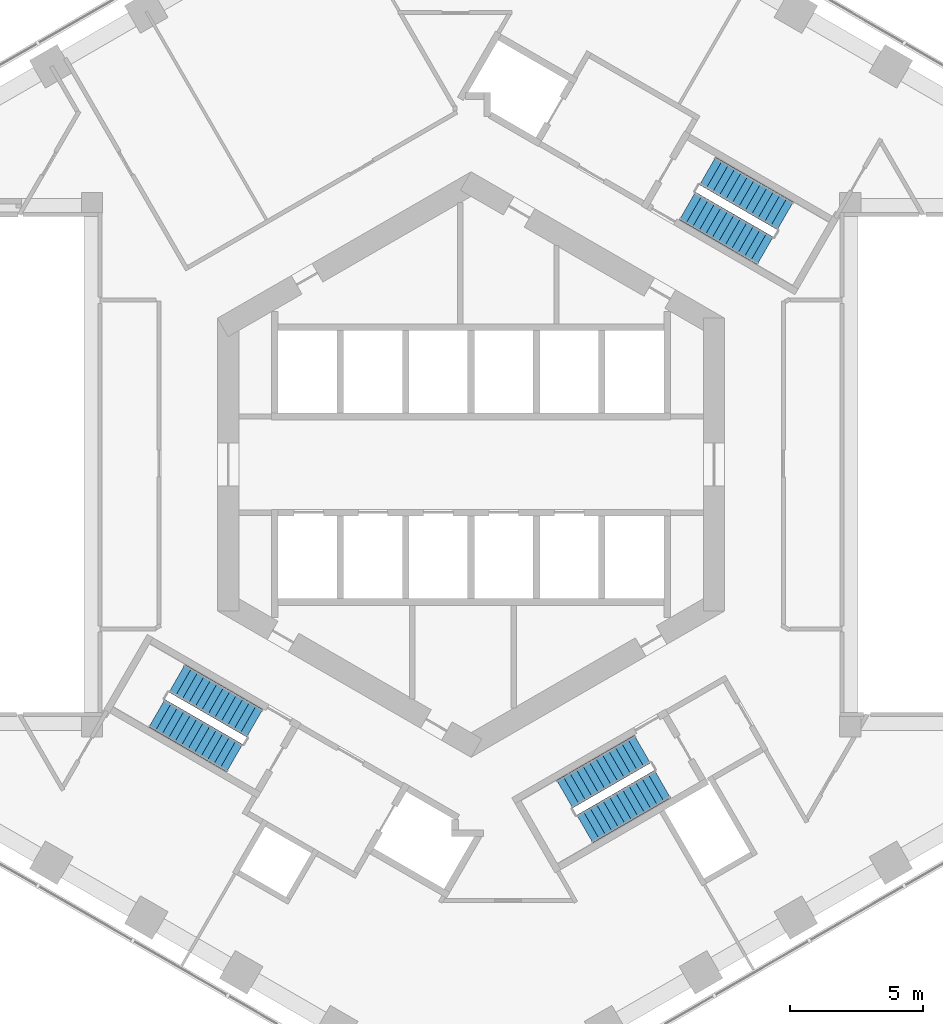
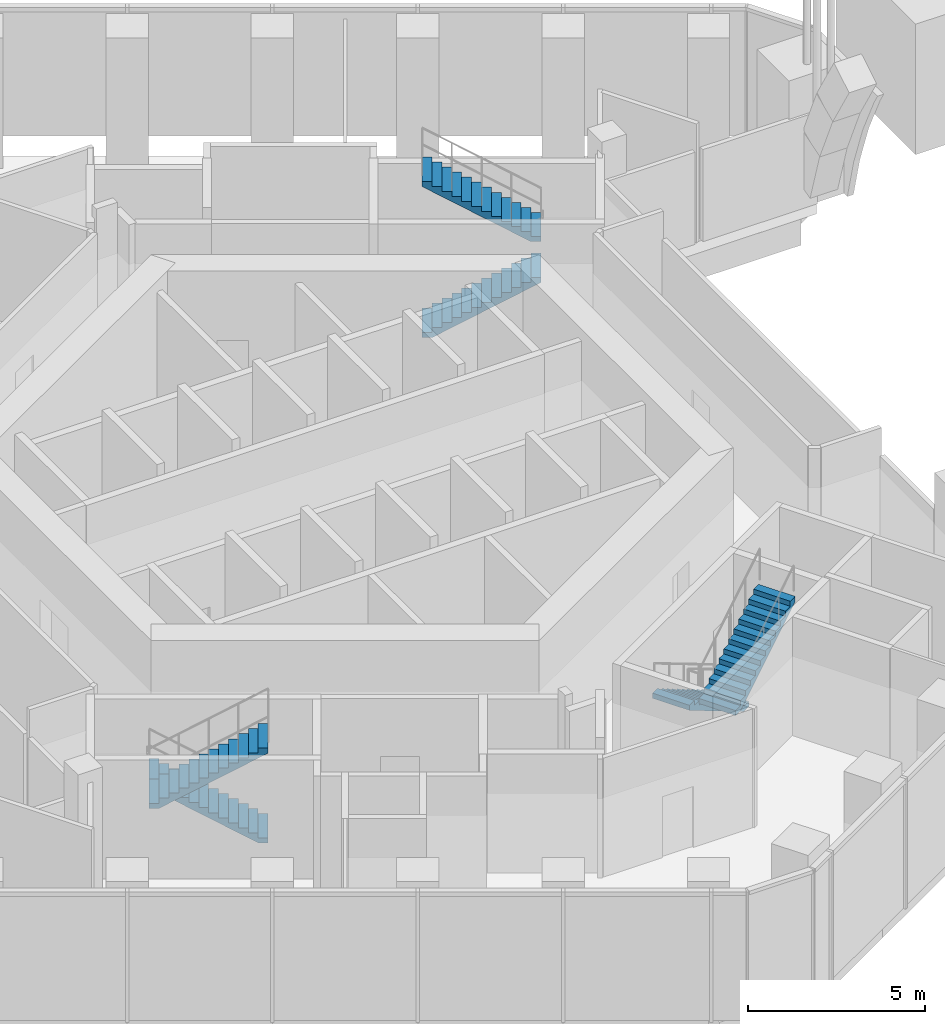
# One storey, part 12 of 14: 6 stair flights, 3 elements without a shape of their own.
"""IFC4 building model written with IfcOpenShell, lengths in metres."""

from ifc_helpers import new_model, si_unit, direction, frame, origin, place, context, subcontext, project, spatial, triangles, material, type_object, element, aggregate, save


model = new_model("IFC4")

# Units and contexts
model_context = context("Model", 3, precision=1e-05, world=origin(), true_north=direction((0.0, 1.0)))
body_context = subcontext(model_context, "Body", "Model", "MODEL_VIEW")
ifc_project = project(units=[si_unit("LENGTHUNIT", "METRE"), si_unit("AREAUNIT", "SQUARE_METRE"), si_unit("VOLUMEUNIT", "CUBIC_METRE"), si_unit("PLANEANGLEUNIT", "RADIAN"), si_unit("MASSUNIT", "GRAM", prefix="KILO")], contexts=[model_context])

# Site, building, storey
site_placement = place(None, origin())
site = spatial("IfcSite", under=ifc_project, at=site_placement, CompositionType="ELEMENT")
building_placement = place(site_placement, origin())
building = spatial("IfcBuilding", under=site, at=building_placement, Name="Ayvan Gate Tower", CompositionType="ELEMENT")
storey_placement = place(building_placement, frame((0.0, 0.0, 7.0)))
storey = spatial("IfcBuildingStorey", under=building, at=storey_placement, Name="L01", CompositionType="ELEMENT", Elevation=7.0)

# Stair, stair flights
ifc_material = material(Name="Concrete C40/50", Category="concrete")
stair_type = type_object("IfcStairType", Name="ST-EXIT", PredefinedType="HALF_TURN_STAIR", material=ifc_material)
stair_1_placement = place(storey_placement, origin())
stair_1 = element("IfcStair", 1, at=stair_1_placement, inside=storey, type_object=stair_type, Name="L01 Exit Stair S1", PredefinedType="HALF_TURN_STAIR")
stair_flight_type = type_object("IfcStairFlightType", Name="SFL-EXIT", PredefinedType="STRAIGHT", material=ifc_material)
stair_flight_1_placement = place(storey_placement, frame((8.106201171875, 9.690185546875, 0.0), z_axis=(0.0, 0.0, 1.0), x_axis=(0.866025403784, -0.5, 0.0)))
stair_flight_1 = element("IfcStairFlight", 2, at=stair_flight_1_placement, type_object=stair_flight_type, Name="STS1 flight 1", NumberOfRisers=13, NumberOfTreads=12, PredefinedType="STRAIGHT", RiserHeight=0.173076923, TreadLength=0.28, context=body_context, shape_type="Tessellation", body=[
    triangles([(0.285099, -0.599976, 0.0), (3.3605, -0.599976, 1.901004), (3.3605, -0.599976, 2.076923), (3.08, -0.599976, 2.076923), (3.08, -0.599976, 1.903846), (2.8, -0.599976, 1.903846), (2.8, -0.599976, 1.730769), (2.52, -0.599976, 1.730769), (2.52, -0.599976, 1.557692), (2.24, -0.599976, 1.557692), (2.24, -0.599976, 1.384615), (1.96, -0.599976, 1.384615), (1.96, -0.599976, 1.211538), (1.68, -0.599976, 1.211538), (1.68, -0.599976, 1.038462), (1.4, -0.599976, 1.038462), (1.4, -0.599976, 0.865385), (1.12, -0.599976, 0.865385), (1.12, -0.599976, 0.692308), (0.84, -0.599976, 0.692308), (0.84, -0.599976, 0.519231), (0.56, -0.599976, 0.519231), (0.56, -0.599976, 0.346154), (0.28, -0.599976, 0.346154), (0.28, -0.599976, 0.173077), (-0.0005, -0.599976, 0.173077), (-0.0005, -0.599976, 0.0), (0.285099, 0.0, 0.0), (3.3605, 0.0, 1.901004), (3.3605, 0.0, 2.076923), (3.08, 0.0, 2.076923), (3.08, 0.0, 1.903846), (2.8, 0.0, 1.903846), (2.8, 0.0, 1.730769), (2.52, 0.0, 1.730769), (2.52, 0.0, 1.557692), (2.24, 0.0, 1.557692), (2.24, 0.0, 1.384615), (1.96, 0.0, 1.384615), (1.96, 0.0, 1.211538), (1.68, 0.0, 1.211538), (1.68, 0.0, 1.038462), (1.4, 0.0, 1.038462), (1.4, 0.0, 0.865385), (1.12, 0.0, 0.865385), (1.12, 0.0, 0.692308), (0.84, 0.0, 0.692308), (0.84, 0.0, 0.519231), (0.56, 0.0, 0.519231), (0.56, 0.0, 0.346154), (0.28, 0.0, 0.346154), (0.28, 0.0, 0.173077), (-0.0005, 0.0, 0.173077), (-0.0005, 0.0, 0.0), (0.285099, 0.599976, 0.0), (3.3605, 0.599976, 1.901004), (3.3605, 0.599976, 2.076923), (3.08, 0.599976, 2.076923), (3.08, 0.599976, 1.903846), (2.8, 0.599976, 1.903846), (2.8, 0.599976, 1.730769), (2.52, 0.599976, 1.730769), (2.52, 0.599976, 1.557692), (2.24, 0.599976, 1.557692), (2.24, 0.599976, 1.384615), (1.96, 0.599976, 1.384615), (1.96, 0.599976, 1.211538), (1.68, 0.599976, 1.211538), (1.68, 0.599976, 1.038462), (1.4, 0.599976, 1.038462), (1.4, 0.599976, 0.865385), (1.12, 0.599976, 0.865385), (1.12, 0.599976, 0.692308), (0.84, 0.599976, 0.692308), (0.84, 0.599976, 0.519231), (0.56, 0.599976, 0.519231), (0.56, 0.599976, 0.346154), (0.28, 0.599976, 0.346154), (0.28, 0.599976, 0.173077), (-0.0005, 0.599976, 0.173077), (-0.0005, 0.599976, 0.0)], [[27, 1, 2], [81, 56, 55], [2, 3, 4], [56, 58, 57], [2, 4, 5], [56, 59, 58], [2, 5, 6], [56, 60, 59], [2, 6, 7], [56, 61, 60], [7, 8, 9], [61, 63, 62], [2, 7, 9], [56, 63, 61], [9, 10, 11], [63, 65, 64], [2, 9, 11], [56, 65, 63], [11, 12, 13], [65, 67, 66], [2, 11, 13], [56, 67, 65], [13, 14, 15], [67, 69, 68], [2, 13, 15], [56, 69, 67], [15, 16, 17], [69, 71, 70], [2, 15, 17], [56, 71, 69], [17, 18, 19], [71, 73, 72], [2, 17, 19], [56, 73, 71], [19, 20, 21], [73, 75, 74], [2, 19, 21], [56, 75, 73], [21, 22, 23], [75, 77, 76], [2, 21, 23], [56, 77, 75], [23, 24, 25], [77, 79, 78], [2, 23, 25], [56, 79, 77], [27, 2, 25], [81, 79, 56], [25, 26, 27], [79, 81, 80], [1, 28, 29], [1, 29, 2], [55, 29, 28], [55, 56, 29], [2, 29, 30], [2, 30, 3], [56, 30, 29], [56, 57, 30], [3, 30, 31], [3, 31, 4], [57, 31, 30], [57, 58, 31], [4, 31, 32], [4, 32, 5], [58, 32, 31], [58, 59, 32], [5, 32, 33], [5, 33, 6], [59, 33, 32], [59, 60, 33], [6, 33, 34], [6, 34, 7], [60, 34, 33], [60, 61, 34], [7, 34, 35], [7, 35, 8], [61, 35, 34], [61, 62, 35], [8, 35, 36], [8, 36, 9], [62, 36, 35], [62, 63, 36], [9, 36, 37], [9, 37, 10], [63, 37, 36], [63, 64, 37], [10, 37, 38], [10, 38, 11], [64, 38, 37], [64, 65, 38], [11, 38, 39], [11, 39, 12], [65, 39, 38], [65, 66, 39], [12, 39, 40], [12, 40, 13], [66, 40, 39], [66, 67, 40], [13, 40, 41], [13, 41, 14], [67, 41, 40], [67, 68, 41], [14, 41, 42], [14, 42, 15], [68, 42, 41], [68, 69, 42], [15, 42, 43], [15, 43, 16], [69, 43, 42], [69, 70, 43], [16, 43, 44], [16, 44, 17], [70, 44, 43], [70, 71, 44], [17, 44, 45], [17, 45, 18], [71, 45, 44], [71, 72, 45], [18, 45, 46], [18, 46, 19], [72, 46, 45], [72, 73, 46], [19, 46, 47], [19, 47, 20], [73, 47, 46], [73, 74, 47], [20, 47, 48], [20, 48, 21], [74, 48, 47], [74, 75, 48], [21, 48, 49], [21, 49, 22], [75, 49, 48], [75, 76, 49], [22, 49, 50], [22, 50, 23], [76, 50, 49], [76, 77, 50], [23, 50, 51], [23, 51, 24], [77, 51, 50], [77, 78, 51], [24, 51, 52], [24, 52, 25], [78, 52, 51], [78, 79, 52], [25, 52, 53], [25, 53, 26], [79, 53, 52], [79, 80, 53], [26, 53, 54], [26, 54, 27], [80, 54, 53], [80, 81, 54], [27, 54, 28], [27, 28, 1], [81, 28, 54], [81, 55, 28]], closed=True),
])
stair_flight_2_placement = place(storey_placement, frame((11.77099609375, 9.31787109375, 2.25), z_axis=(0.0, 0.0, 1.0), x_axis=(-0.866025403784, 0.5, 0.0)))
stair_flight_2 = element("IfcStairFlight", 3, at=stair_flight_2_placement, type_object=stair_flight_type, Name="STS1 flight 2", NumberOfRisers=13, NumberOfTreads=12, PredefinedType="STRAIGHT", RiserHeight=0.173076923, TreadLength=0.28, context=body_context, shape_type="Tessellation", body=[
    triangles([(0.285099, -0.599976, 0.0), (3.3605, -0.599976, 1.901004), (3.3605, -0.599976, 2.076923), (3.08, -0.599976, 2.076923), (3.08, -0.599976, 1.903846), (2.8, -0.599976, 1.903846), (2.8, -0.599976, 1.730769), (2.52, -0.599976, 1.730769), (2.52, -0.599976, 1.557692), (2.24, -0.599976, 1.557692), (2.24, -0.599976, 1.384615), (1.96, -0.599976, 1.384615), (1.96, -0.599976, 1.211538), (1.68, -0.599976, 1.211538), (1.68, -0.599976, 1.038462), (1.4, -0.599976, 1.038462), (1.4, -0.599976, 0.865385), (1.12, -0.599976, 0.865385), (1.12, -0.599976, 0.692308), (0.84, -0.599976, 0.692308), (0.84, -0.599976, 0.519231), (0.56, -0.599976, 0.519231), (0.56, -0.599976, 0.346154), (0.28, -0.599976, 0.346154), (0.28, -0.599976, 0.173077), (-0.0005, -0.599976, 0.173077), (-0.0005, -0.599976, 0.0), (0.285099, 0.0, 0.0), (3.3605, 0.0, 1.901004), (3.3605, 0.0, 2.076923), (3.08, 0.0, 2.076923), (3.08, 0.0, 1.903846), (2.8, 0.0, 1.903846), (2.8, 0.0, 1.730769), (2.52, 0.0, 1.730769), (2.52, 0.0, 1.557692), (2.24, 0.0, 1.557692), (2.24, 0.0, 1.384615), (1.96, 0.0, 1.384615), (1.96, 0.0, 1.211538), (1.68, 0.0, 1.211538), (1.68, 0.0, 1.038462), (1.4, 0.0, 1.038462), (1.4, 0.0, 0.865385), (1.12, 0.0, 0.865385), (1.12, 0.0, 0.692308), (0.84, 0.0, 0.692308), (0.84, 0.0, 0.519231), (0.56, 0.0, 0.519231), (0.56, 0.0, 0.346154), (0.28, 0.0, 0.346154), (0.28, 0.0, 0.173077), (-0.0005, 0.0, 0.173077), (-0.0005, 0.0, 0.0), (0.285099, 0.599976, 0.0), (3.3605, 0.599976, 1.901004), (3.3605, 0.599976, 2.076923), (3.08, 0.599976, 2.076923), (3.08, 0.599976, 1.903846), (2.8, 0.599976, 1.903846), (2.8, 0.599976, 1.730769), (2.52, 0.599976, 1.730769), (2.52, 0.599976, 1.557692), (2.24, 0.599976, 1.557692), (2.24, 0.599976, 1.384615), (1.96, 0.599976, 1.384615), (1.96, 0.599976, 1.211538), (1.68, 0.599976, 1.211538), (1.68, 0.599976, 1.038462), (1.4, 0.599976, 1.038462), (1.4, 0.599976, 0.865385), (1.12, 0.599976, 0.865385), (1.12, 0.599976, 0.692308), (0.84, 0.599976, 0.692308), (0.84, 0.599976, 0.519231), (0.56, 0.599976, 0.519231), (0.56, 0.599976, 0.346154), (0.28, 0.599976, 0.346154), (0.28, 0.599976, 0.173077), (-0.0005, 0.599976, 0.173077), (-0.0005, 0.599976, 0.0)], [[27, 1, 2], [81, 56, 55], [2, 3, 4], [56, 58, 57], [2, 4, 5], [56, 59, 58], [2, 5, 6], [56, 60, 59], [2, 6, 7], [56, 61, 60], [7, 8, 9], [61, 63, 62], [2, 7, 9], [56, 63, 61], [9, 10, 11], [63, 65, 64], [2, 9, 11], [56, 65, 63], [11, 12, 13], [65, 67, 66], [2, 11, 13], [56, 67, 65], [13, 14, 15], [67, 69, 68], [2, 13, 15], [56, 69, 67], [15, 16, 17], [69, 71, 70], [2, 15, 17], [56, 71, 69], [17, 18, 19], [71, 73, 72], [2, 17, 19], [56, 73, 71], [19, 20, 21], [73, 75, 74], [2, 19, 21], [56, 75, 73], [21, 22, 23], [75, 77, 76], [2, 21, 23], [56, 77, 75], [23, 24, 25], [77, 79, 78], [2, 23, 25], [56, 79, 77], [27, 2, 25], [81, 79, 56], [25, 26, 27], [79, 81, 80], [1, 28, 29], [1, 29, 2], [55, 29, 28], [55, 56, 29], [2, 29, 30], [2, 30, 3], [56, 30, 29], [56, 57, 30], [3, 30, 31], [3, 31, 4], [57, 31, 30], [57, 58, 31], [4, 31, 32], [4, 32, 5], [58, 32, 31], [58, 59, 32], [5, 32, 33], [5, 33, 6], [59, 33, 32], [59, 60, 33], [6, 33, 34], [6, 34, 7], [60, 34, 33], [60, 61, 34], [7, 34, 35], [7, 35, 8], [61, 35, 34], [61, 62, 35], [8, 35, 36], [8, 36, 9], [62, 36, 35], [62, 63, 36], [9, 36, 37], [9, 37, 10], [63, 37, 36], [63, 64, 37], [10, 37, 38], [10, 38, 11], [64, 38, 37], [64, 65, 38], [11, 38, 39], [11, 39, 12], [65, 39, 38], [65, 66, 39], [12, 39, 40], [12, 40, 13], [66, 40, 39], [66, 67, 40], [13, 40, 41], [13, 41, 14], [67, 41, 40], [67, 68, 41], [14, 41, 42], [14, 42, 15], [68, 42, 41], [68, 69, 42], [15, 42, 43], [15, 43, 16], [69, 43, 42], [69, 70, 43], [16, 43, 44], [16, 44, 17], [70, 44, 43], [70, 71, 44], [17, 44, 45], [17, 45, 18], [71, 45, 44], [71, 72, 45], [18, 45, 46], [18, 46, 19], [72, 46, 45], [72, 73, 46], [19, 46, 47], [19, 47, 20], [73, 47, 46], [73, 74, 47], [20, 47, 48], [20, 48, 21], [74, 48, 47], [74, 75, 48], [21, 48, 49], [21, 49, 22], [75, 49, 48], [75, 76, 49], [22, 49, 50], [22, 50, 23], [76, 50, 49], [76, 77, 50], [23, 50, 51], [23, 51, 24], [77, 51, 50], [77, 78, 51], [24, 51, 52], [24, 52, 25], [78, 52, 51], [78, 79, 52], [25, 52, 53], [25, 53, 26], [79, 53, 52], [79, 80, 53], [26, 53, 54], [26, 54, 27], [80, 54, 53], [80, 81, 54], [27, 54, 28], [27, 28, 1], [81, 28, 54], [81, 55, 28]], closed=True),
])
aggregate(stair_1, [stair_flight_1, stair_flight_2])

stair_2_placement = place(storey_placement, origin())
stair_2 = element("IfcStair", 4, at=stair_2_placement, inside=storey, type_object=stair_type, Name="L01 Exit Stair S2", PredefinedType="HALF_TURN_STAIR")
stair_flight_3_placement = place(storey_placement, frame((-8.106201171875, -9.690185546875, 0.0), z_axis=(0.0, 0.0, 1.0), x_axis=(-0.866025403784, 0.5, 0.0)))
stair_flight_3 = element("IfcStairFlight", 5, at=stair_flight_3_placement, type_object=stair_flight_type, Name="STS2 flight 1", NumberOfRisers=13, NumberOfTreads=12, PredefinedType="STRAIGHT", RiserHeight=0.173076923, TreadLength=0.28, context=body_context, shape_type="Tessellation", body=[
    triangles([(0.285099, -0.599976, 0.0), (3.3605, -0.599976, 1.901004), (3.3605, -0.599976, 2.076923), (3.08, -0.599976, 2.076923), (3.08, -0.599976, 1.903846), (2.8, -0.599976, 1.903846), (2.8, -0.599976, 1.730769), (2.52, -0.599976, 1.730769), (2.52, -0.599976, 1.557692), (2.24, -0.599976, 1.557692), (2.24, -0.599976, 1.384615), (1.96, -0.599976, 1.384615), (1.96, -0.599976, 1.211538), (1.68, -0.599976, 1.211538), (1.68, -0.599976, 1.038462), (1.4, -0.599976, 1.038462), (1.4, -0.599976, 0.865385), (1.12, -0.599976, 0.865385), (1.12, -0.599976, 0.692308), (0.84, -0.599976, 0.692308), (0.84, -0.599976, 0.519231), (0.56, -0.599976, 0.519231), (0.56, -0.599976, 0.346154), (0.28, -0.599976, 0.346154), (0.28, -0.599976, 0.173077), (-0.0005, -0.599976, 0.173077), (-0.0005, -0.599976, 0.0), (0.285099, 0.0, 0.0), (3.3605, 0.0, 1.901004), (3.3605, 0.0, 2.076923), (3.08, 0.0, 2.076923), (3.08, 0.0, 1.903846), (2.8, 0.0, 1.903846), (2.8, 0.0, 1.730769), (2.52, 0.0, 1.730769), (2.52, 0.0, 1.557692), (2.24, 0.0, 1.557692), (2.24, 0.0, 1.384615), (1.96, 0.0, 1.384615), (1.96, 0.0, 1.211538), (1.68, 0.0, 1.211538), (1.68, 0.0, 1.038462), (1.4, 0.0, 1.038462), (1.4, 0.0, 0.865385), (1.12, 0.0, 0.865385), (1.12, 0.0, 0.692308), (0.84, 0.0, 0.692308), (0.84, 0.0, 0.519231), (0.56, 0.0, 0.519231), (0.56, 0.0, 0.346154), (0.28, 0.0, 0.346154), (0.28, 0.0, 0.173077), (-0.0005, 0.0, 0.173077), (-0.0005, 0.0, 0.0), (0.285099, 0.599976, 0.0), (3.3605, 0.599976, 1.901004), (3.3605, 0.599976, 2.076923), (3.08, 0.599976, 2.076923), (3.08, 0.599976, 1.903846), (2.8, 0.599976, 1.903846), (2.8, 0.599976, 1.730769), (2.52, 0.599976, 1.730769), (2.52, 0.599976, 1.557692), (2.24, 0.599976, 1.557692), (2.24, 0.599976, 1.384615), (1.96, 0.599976, 1.384615), (1.96, 0.599976, 1.211538), (1.68, 0.599976, 1.211538), (1.68, 0.599976, 1.038462), (1.4, 0.599976, 1.038462), (1.4, 0.599976, 0.865385), (1.12, 0.599976, 0.865385), (1.12, 0.599976, 0.692308), (0.84, 0.599976, 0.692308), (0.84, 0.599976, 0.519231), (0.56, 0.599976, 0.519231), (0.56, 0.599976, 0.346154), (0.28, 0.599976, 0.346154), (0.28, 0.599976, 0.173077), (-0.0005, 0.599976, 0.173077), (-0.0005, 0.599976, 0.0)], [[27, 1, 2], [81, 56, 55], [2, 3, 4], [56, 58, 57], [2, 4, 5], [56, 59, 58], [2, 5, 6], [56, 60, 59], [2, 6, 7], [56, 61, 60], [7, 8, 9], [61, 63, 62], [2, 7, 9], [56, 63, 61], [9, 10, 11], [63, 65, 64], [2, 9, 11], [56, 65, 63], [11, 12, 13], [65, 67, 66], [2, 11, 13], [56, 67, 65], [13, 14, 15], [67, 69, 68], [2, 13, 15], [56, 69, 67], [15, 16, 17], [69, 71, 70], [2, 15, 17], [56, 71, 69], [17, 18, 19], [71, 73, 72], [2, 17, 19], [56, 73, 71], [19, 20, 21], [73, 75, 74], [2, 19, 21], [56, 75, 73], [21, 22, 23], [75, 77, 76], [2, 21, 23], [56, 77, 75], [23, 24, 25], [77, 79, 78], [2, 23, 25], [56, 79, 77], [27, 2, 25], [81, 79, 56], [25, 26, 27], [79, 81, 80], [1, 28, 29], [1, 29, 2], [55, 29, 28], [55, 56, 29], [2, 29, 30], [2, 30, 3], [56, 30, 29], [56, 57, 30], [3, 30, 31], [3, 31, 4], [57, 31, 30], [57, 58, 31], [4, 31, 32], [4, 32, 5], [58, 32, 31], [58, 59, 32], [5, 32, 33], [5, 33, 6], [59, 33, 32], [59, 60, 33], [6, 33, 34], [6, 34, 7], [60, 34, 33], [60, 61, 34], [7, 34, 35], [7, 35, 8], [61, 35, 34], [61, 62, 35], [8, 35, 36], [8, 36, 9], [62, 36, 35], [62, 63, 36], [9, 36, 37], [9, 37, 10], [63, 37, 36], [63, 64, 37], [10, 37, 38], [10, 38, 11], [64, 38, 37], [64, 65, 38], [11, 38, 39], [11, 39, 12], [65, 39, 38], [65, 66, 39], [12, 39, 40], [12, 40, 13], [66, 40, 39], [66, 67, 40], [13, 40, 41], [13, 41, 14], [67, 41, 40], [67, 68, 41], [14, 41, 42], [14, 42, 15], [68, 42, 41], [68, 69, 42], [15, 42, 43], [15, 43, 16], [69, 43, 42], [69, 70, 43], [16, 43, 44], [16, 44, 17], [70, 44, 43], [70, 71, 44], [17, 44, 45], [17, 45, 18], [71, 45, 44], [71, 72, 45], [18, 45, 46], [18, 46, 19], [72, 46, 45], [72, 73, 46], [19, 46, 47], [19, 47, 20], [73, 47, 46], [73, 74, 47], [20, 47, 48], [20, 48, 21], [74, 48, 47], [74, 75, 48], [21, 48, 49], [21, 49, 22], [75, 49, 48], [75, 76, 49], [22, 49, 50], [22, 50, 23], [76, 50, 49], [76, 77, 50], [23, 50, 51], [23, 51, 24], [77, 51, 50], [77, 78, 51], [24, 51, 52], [24, 52, 25], [78, 52, 51], [78, 79, 52], [25, 52, 53], [25, 53, 26], [79, 53, 52], [79, 80, 53], [26, 53, 54], [26, 54, 27], [80, 54, 53], [80, 81, 54], [27, 54, 28], [27, 28, 1], [81, 28, 54], [81, 55, 28]], closed=True),
])
stair_flight_4_placement = place(storey_placement, frame((-11.77099609375, -9.31787109375, 2.25), z_axis=(0.0, 0.0, 1.0), x_axis=(0.866025403784, -0.5, 0.0)))
stair_flight_4 = element("IfcStairFlight", 6, at=stair_flight_4_placement, type_object=stair_flight_type, Name="STS2 flight 2", NumberOfRisers=13, NumberOfTreads=12, PredefinedType="STRAIGHT", RiserHeight=0.173076923, TreadLength=0.28, context=body_context, shape_type="Tessellation", body=[
    triangles([(0.285099, -0.599976, 0.0), (3.3605, -0.599976, 1.901004), (3.3605, -0.599976, 2.076923), (3.08, -0.599976, 2.076923), (3.08, -0.599976, 1.903846), (2.8, -0.599976, 1.903846), (2.8, -0.599976, 1.730769), (2.52, -0.599976, 1.730769), (2.52, -0.599976, 1.557692), (2.24, -0.599976, 1.557692), (2.24, -0.599976, 1.384615), (1.96, -0.599976, 1.384615), (1.96, -0.599976, 1.211538), (1.68, -0.599976, 1.211538), (1.68, -0.599976, 1.038462), (1.4, -0.599976, 1.038462), (1.4, -0.599976, 0.865385), (1.12, -0.599976, 0.865385), (1.12, -0.599976, 0.692308), (0.84, -0.599976, 0.692308), (0.84, -0.599976, 0.519231), (0.56, -0.599976, 0.519231), (0.56, -0.599976, 0.346154), (0.28, -0.599976, 0.346154), (0.28, -0.599976, 0.173077), (-0.0005, -0.599976, 0.173077), (-0.0005, -0.599976, 0.0), (0.285099, 0.0, 0.0), (3.3605, 0.0, 1.901004), (3.3605, 0.0, 2.076923), (3.08, 0.0, 2.076923), (3.08, 0.0, 1.903846), (2.8, 0.0, 1.903846), (2.8, 0.0, 1.730769), (2.52, 0.0, 1.730769), (2.52, 0.0, 1.557692), (2.24, 0.0, 1.557692), (2.24, 0.0, 1.384615), (1.96, 0.0, 1.384615), (1.96, 0.0, 1.211538), (1.68, 0.0, 1.211538), (1.68, 0.0, 1.038462), (1.4, 0.0, 1.038462), (1.4, 0.0, 0.865385), (1.12, 0.0, 0.865385), (1.12, 0.0, 0.692308), (0.84, 0.0, 0.692308), (0.84, 0.0, 0.519231), (0.56, 0.0, 0.519231), (0.56, 0.0, 0.346154), (0.28, 0.0, 0.346154), (0.28, 0.0, 0.173077), (-0.0005, 0.0, 0.173077), (-0.0005, 0.0, 0.0), (0.285099, 0.599976, 0.0), (3.3605, 0.599976, 1.901004), (3.3605, 0.599976, 2.076923), (3.08, 0.599976, 2.076923), (3.08, 0.599976, 1.903846), (2.8, 0.599976, 1.903846), (2.8, 0.599976, 1.730769), (2.52, 0.599976, 1.730769), (2.52, 0.599976, 1.557692), (2.24, 0.599976, 1.557692), (2.24, 0.599976, 1.384615), (1.96, 0.599976, 1.384615), (1.96, 0.599976, 1.211538), (1.68, 0.599976, 1.211538), (1.68, 0.599976, 1.038462), (1.4, 0.599976, 1.038462), (1.4, 0.599976, 0.865385), (1.12, 0.599976, 0.865385), (1.12, 0.599976, 0.692308), (0.84, 0.599976, 0.692308), (0.84, 0.599976, 0.519231), (0.56, 0.599976, 0.519231), (0.56, 0.599976, 0.346154), (0.28, 0.599976, 0.346154), (0.28, 0.599976, 0.173077), (-0.0005, 0.599976, 0.173077), (-0.0005, 0.599976, 0.0)], [[27, 1, 2], [81, 56, 55], [2, 3, 4], [56, 58, 57], [2, 4, 5], [56, 59, 58], [2, 5, 6], [56, 60, 59], [2, 6, 7], [56, 61, 60], [7, 8, 9], [61, 63, 62], [2, 7, 9], [56, 63, 61], [9, 10, 11], [63, 65, 64], [2, 9, 11], [56, 65, 63], [11, 12, 13], [65, 67, 66], [2, 11, 13], [56, 67, 65], [13, 14, 15], [67, 69, 68], [2, 13, 15], [56, 69, 67], [15, 16, 17], [69, 71, 70], [2, 15, 17], [56, 71, 69], [17, 18, 19], [71, 73, 72], [2, 17, 19], [56, 73, 71], [19, 20, 21], [73, 75, 74], [2, 19, 21], [56, 75, 73], [21, 22, 23], [75, 77, 76], [2, 21, 23], [56, 77, 75], [23, 24, 25], [77, 79, 78], [2, 23, 25], [56, 79, 77], [27, 2, 25], [81, 79, 56], [25, 26, 27], [79, 81, 80], [1, 28, 29], [1, 29, 2], [55, 29, 28], [55, 56, 29], [2, 29, 30], [2, 30, 3], [56, 30, 29], [56, 57, 30], [3, 30, 31], [3, 31, 4], [57, 31, 30], [57, 58, 31], [4, 31, 32], [4, 32, 5], [58, 32, 31], [58, 59, 32], [5, 32, 33], [5, 33, 6], [59, 33, 32], [59, 60, 33], [6, 33, 34], [6, 34, 7], [60, 34, 33], [60, 61, 34], [7, 34, 35], [7, 35, 8], [61, 35, 34], [61, 62, 35], [8, 35, 36], [8, 36, 9], [62, 36, 35], [62, 63, 36], [9, 36, 37], [9, 37, 10], [63, 37, 36], [63, 64, 37], [10, 37, 38], [10, 38, 11], [64, 38, 37], [64, 65, 38], [11, 38, 39], [11, 39, 12], [65, 39, 38], [65, 66, 39], [12, 39, 40], [12, 40, 13], [66, 40, 39], [66, 67, 40], [13, 40, 41], [13, 41, 14], [67, 41, 40], [67, 68, 41], [14, 41, 42], [14, 42, 15], [68, 42, 41], [68, 69, 42], [15, 42, 43], [15, 43, 16], [69, 43, 42], [69, 70, 43], [16, 43, 44], [16, 44, 17], [70, 44, 43], [70, 71, 44], [17, 44, 45], [17, 45, 18], [71, 45, 44], [71, 72, 45], [18, 45, 46], [18, 46, 19], [72, 46, 45], [72, 73, 46], [19, 46, 47], [19, 47, 20], [73, 47, 46], [73, 74, 47], [20, 47, 48], [20, 48, 21], [74, 48, 47], [74, 75, 48], [21, 48, 49], [21, 49, 22], [75, 49, 48], [75, 76, 49], [22, 49, 50], [22, 50, 23], [76, 50, 49], [76, 77, 50], [23, 50, 51], [23, 51, 24], [77, 51, 50], [77, 78, 51], [24, 51, 52], [24, 52, 25], [78, 52, 51], [78, 79, 52], [25, 52, 53], [25, 53, 26], [79, 53, 52], [79, 80, 53], [26, 53, 54], [26, 54, 27], [80, 54, 53], [80, 81, 54], [27, 54, 28], [27, 28, 1], [81, 28, 54], [81, 55, 28]], closed=True),
])
aggregate(stair_2, [stair_flight_3, stair_flight_4])

stair_3_placement = place(storey_placement, origin())
stair_3 = element("IfcStair", 7, at=stair_3_placement, inside=storey, type_object=stair_type, Name="L01 Exit Stair S3", PredefinedType="HALF_TURN_STAIR")
stair_flight_5_placement = place(storey_placement, frame((6.417236328125, -10.665283203125, 0.0), z_axis=(0.0, 0.0, 1.0), x_axis=(-0.866025403784, -0.5, 0.0)))
stair_flight_5 = element("IfcStairFlight", 8, at=stair_flight_5_placement, type_object=stair_flight_type, Name="STS3 flight 1", NumberOfRisers=13, NumberOfTreads=12, PredefinedType="STRAIGHT", RiserHeight=0.173076923, TreadLength=0.28, context=body_context, shape_type="Tessellation", body=[
    triangles([(0.285099, -0.599976, 0.0), (3.3605, -0.599976, 1.901004), (3.3605, -0.599976, 2.076923), (3.08, -0.599976, 2.076923), (3.08, -0.599976, 1.903846), (2.8, -0.599976, 1.903846), (2.8, -0.599976, 1.730769), (2.52, -0.599976, 1.730769), (2.52, -0.599976, 1.557692), (2.24, -0.599976, 1.557692), (2.24, -0.599976, 1.384615), (1.96, -0.599976, 1.384615), (1.96, -0.599976, 1.211538), (1.68, -0.599976, 1.211538), (1.68, -0.599976, 1.038462), (1.4, -0.599976, 1.038462), (1.4, -0.599976, 0.865385), (1.12, -0.599976, 0.865385), (1.12, -0.599976, 0.692308), (0.84, -0.599976, 0.692308), (0.84, -0.599976, 0.519231), (0.56, -0.599976, 0.519231), (0.56, -0.599976, 0.346154), (0.28, -0.599976, 0.346154), (0.28, -0.599976, 0.173077), (-0.0005, -0.599976, 0.173077), (-0.0005, -0.599976, 0.0), (0.285099, 0.0, 0.0), (3.3605, 0.0, 1.901004), (3.3605, 0.0, 2.076923), (3.08, 0.0, 2.076923), (3.08, 0.0, 1.903846), (2.8, 0.0, 1.903846), (2.8, 0.0, 1.730769), (2.52, 0.0, 1.730769), (2.52, 0.0, 1.557692), (2.24, 0.0, 1.557692), (2.24, 0.0, 1.384615), (1.96, 0.0, 1.384615), (1.96, 0.0, 1.211538), (1.68, 0.0, 1.211538), (1.68, 0.0, 1.038462), (1.4, 0.0, 1.038462), (1.4, 0.0, 0.865385), (1.12, 0.0, 0.865385), (1.12, 0.0, 0.692308), (0.84, 0.0, 0.692308), (0.84, 0.0, 0.519231), (0.56, 0.0, 0.519231), (0.56, 0.0, 0.346154), (0.28, 0.0, 0.346154), (0.28, 0.0, 0.173077), (-0.0005, 0.0, 0.173077), (-0.0005, 0.0, 0.0), (0.285099, 0.599976, 0.0), (3.3605, 0.599976, 1.901004), (3.3605, 0.599976, 2.076923), (3.08, 0.599976, 2.076923), (3.08, 0.599976, 1.903846), (2.8, 0.599976, 1.903846), (2.8, 0.599976, 1.730769), (2.52, 0.599976, 1.730769), (2.52, 0.599976, 1.557692), (2.24, 0.599976, 1.557692), (2.24, 0.599976, 1.384615), (1.96, 0.599976, 1.384615), (1.96, 0.599976, 1.211538), (1.68, 0.599976, 1.211538), (1.68, 0.599976, 1.038462), (1.4, 0.599976, 1.038462), (1.4, 0.599976, 0.865385), (1.12, 0.599976, 0.865385), (1.12, 0.599976, 0.692308), (0.84, 0.599976, 0.692308), (0.84, 0.599976, 0.519231), (0.56, 0.599976, 0.519231), (0.56, 0.599976, 0.346154), (0.28, 0.599976, 0.346154), (0.28, 0.599976, 0.173077), (-0.0005, 0.599976, 0.173077), (-0.0005, 0.599976, 0.0)], [[27, 1, 2], [81, 56, 55], [2, 3, 4], [56, 58, 57], [2, 4, 5], [56, 59, 58], [2, 5, 6], [56, 60, 59], [2, 6, 7], [56, 61, 60], [7, 8, 9], [61, 63, 62], [2, 7, 9], [56, 63, 61], [9, 10, 11], [63, 65, 64], [2, 9, 11], [56, 65, 63], [11, 12, 13], [65, 67, 66], [2, 11, 13], [56, 67, 65], [13, 14, 15], [67, 69, 68], [2, 13, 15], [56, 69, 67], [15, 16, 17], [69, 71, 70], [2, 15, 17], [56, 71, 69], [17, 18, 19], [71, 73, 72], [2, 17, 19], [56, 73, 71], [19, 20, 21], [73, 75, 74], [2, 19, 21], [56, 75, 73], [21, 22, 23], [75, 77, 76], [2, 21, 23], [56, 77, 75], [23, 24, 25], [77, 79, 78], [2, 23, 25], [56, 79, 77], [27, 2, 25], [81, 79, 56], [25, 26, 27], [79, 81, 80], [1, 28, 29], [1, 29, 2], [55, 29, 28], [55, 56, 29], [2, 29, 30], [2, 30, 3], [56, 30, 29], [56, 57, 30], [3, 30, 31], [3, 31, 4], [57, 31, 30], [57, 58, 31], [4, 31, 32], [4, 32, 5], [58, 32, 31], [58, 59, 32], [5, 32, 33], [5, 33, 6], [59, 33, 32], [59, 60, 33], [6, 33, 34], [6, 34, 7], [60, 34, 33], [60, 61, 34], [7, 34, 35], [7, 35, 8], [61, 35, 34], [61, 62, 35], [8, 35, 36], [8, 36, 9], [62, 36, 35], [62, 63, 36], [9, 36, 37], [9, 37, 10], [63, 37, 36], [63, 64, 37], [10, 37, 38], [10, 38, 11], [64, 38, 37], [64, 65, 38], [11, 38, 39], [11, 39, 12], [65, 39, 38], [65, 66, 39], [12, 39, 40], [12, 40, 13], [66, 40, 39], [66, 67, 40], [13, 40, 41], [13, 41, 14], [67, 41, 40], [67, 68, 41], [14, 41, 42], [14, 42, 15], [68, 42, 41], [68, 69, 42], [15, 42, 43], [15, 43, 16], [69, 43, 42], [69, 70, 43], [16, 43, 44], [16, 44, 17], [70, 44, 43], [70, 71, 44], [17, 44, 45], [17, 45, 18], [71, 45, 44], [71, 72, 45], [18, 45, 46], [18, 46, 19], [72, 46, 45], [72, 73, 46], [19, 46, 47], [19, 47, 20], [73, 47, 46], [73, 74, 47], [20, 47, 48], [20, 48, 21], [74, 48, 47], [74, 75, 48], [21, 48, 49], [21, 49, 22], [75, 49, 48], [75, 76, 49], [22, 49, 50], [22, 50, 23], [76, 50, 49], [76, 77, 50], [23, 50, 51], [23, 51, 24], [77, 51, 50], [77, 78, 51], [24, 51, 52], [24, 52, 25], [78, 52, 51], [78, 79, 52], [25, 52, 53], [25, 53, 26], [79, 53, 52], [79, 80, 53], [26, 53, 54], [26, 54, 27], [80, 54, 53], [80, 81, 54], [27, 54, 28], [27, 28, 1], [81, 28, 54], [81, 55, 28]], closed=True),
])
stair_flight_6_placement = place(storey_placement, frame((4.262451171875, -13.65283203125, 2.25), z_axis=(0.0, 0.0, 1.0), x_axis=(0.866025403784, 0.5, 0.0)))
stair_flight_6 = element("IfcStairFlight", 9, at=stair_flight_6_placement, type_object=stair_flight_type, Name="STS3 flight 2", NumberOfRisers=13, NumberOfTreads=12, PredefinedType="STRAIGHT", RiserHeight=0.173076923, TreadLength=0.28, context=body_context, shape_type="Tessellation", body=[
    triangles([(0.285099, -0.599976, 0.0), (3.3605, -0.599976, 1.901004), (3.3605, -0.599976, 2.076923), (3.08, -0.599976, 2.076923), (3.08, -0.599976, 1.903846), (2.8, -0.599976, 1.903846), (2.8, -0.599976, 1.730769), (2.52, -0.599976, 1.730769), (2.52, -0.599976, 1.557692), (2.24, -0.599976, 1.557692), (2.24, -0.599976, 1.384615), (1.96, -0.599976, 1.384615), (1.96, -0.599976, 1.211538), (1.68, -0.599976, 1.211538), (1.68, -0.599976, 1.038462), (1.4, -0.599976, 1.038462), (1.4, -0.599976, 0.865385), (1.12, -0.599976, 0.865385), (1.12, -0.599976, 0.692308), (0.84, -0.599976, 0.692308), (0.84, -0.599976, 0.519231), (0.56, -0.599976, 0.519231), (0.56, -0.599976, 0.346154), (0.28, -0.599976, 0.346154), (0.28, -0.599976, 0.173077), (-0.0005, -0.599976, 0.173077), (-0.0005, -0.599976, 0.0), (0.285099, 0.0, 0.0), (3.3605, 0.0, 1.901004), (3.3605, 0.0, 2.076923), (3.08, 0.0, 2.076923), (3.08, 0.0, 1.903846), (2.8, 0.0, 1.903846), (2.8, 0.0, 1.730769), (2.52, 0.0, 1.730769), (2.52, 0.0, 1.557692), (2.24, 0.0, 1.557692), (2.24, 0.0, 1.384615), (1.96, 0.0, 1.384615), (1.96, 0.0, 1.211538), (1.68, 0.0, 1.211538), (1.68, 0.0, 1.038462), (1.4, 0.0, 1.038462), (1.4, 0.0, 0.865385), (1.12, 0.0, 0.865385), (1.12, 0.0, 0.692308), (0.84, 0.0, 0.692308), (0.84, 0.0, 0.519231), (0.56, 0.0, 0.519231), (0.56, 0.0, 0.346154), (0.28, 0.0, 0.346154), (0.28, 0.0, 0.173077), (-0.0005, 0.0, 0.173077), (-0.0005, 0.0, 0.0), (0.285099, 0.599976, 0.0), (3.3605, 0.599976, 1.901004), (3.3605, 0.599976, 2.076923), (3.08, 0.599976, 2.076923), (3.08, 0.599976, 1.903846), (2.8, 0.599976, 1.903846), (2.8, 0.599976, 1.730769), (2.52, 0.599976, 1.730769), (2.52, 0.599976, 1.557692), (2.24, 0.599976, 1.557692), (2.24, 0.599976, 1.384615), (1.96, 0.599976, 1.384615), (1.96, 0.599976, 1.211538), (1.68, 0.599976, 1.211538), (1.68, 0.599976, 1.038462), (1.4, 0.599976, 1.038462), (1.4, 0.599976, 0.865385), (1.12, 0.599976, 0.865385), (1.12, 0.599976, 0.692308), (0.84, 0.599976, 0.692308), (0.84, 0.599976, 0.519231), (0.56, 0.599976, 0.519231), (0.56, 0.599976, 0.346154), (0.28, 0.599976, 0.346154), (0.28, 0.599976, 0.173077), (-0.0005, 0.599976, 0.173077), (-0.0005, 0.599976, 0.0)], [[27, 1, 2], [81, 56, 55], [2, 3, 4], [56, 58, 57], [2, 4, 5], [56, 59, 58], [2, 5, 6], [56, 60, 59], [2, 6, 7], [56, 61, 60], [7, 8, 9], [61, 63, 62], [2, 7, 9], [56, 63, 61], [9, 10, 11], [63, 65, 64], [2, 9, 11], [56, 65, 63], [11, 12, 13], [65, 67, 66], [2, 11, 13], [56, 67, 65], [13, 14, 15], [67, 69, 68], [2, 13, 15], [56, 69, 67], [15, 16, 17], [69, 71, 70], [2, 15, 17], [56, 71, 69], [17, 18, 19], [71, 73, 72], [2, 17, 19], [56, 73, 71], [19, 20, 21], [73, 75, 74], [2, 19, 21], [56, 75, 73], [21, 22, 23], [75, 77, 76], [2, 21, 23], [56, 77, 75], [23, 24, 25], [77, 79, 78], [2, 23, 25], [56, 79, 77], [27, 2, 25], [81, 79, 56], [25, 26, 27], [79, 81, 80], [1, 28, 29], [1, 29, 2], [55, 29, 28], [55, 56, 29], [2, 29, 30], [2, 30, 3], [56, 30, 29], [56, 57, 30], [3, 30, 31], [3, 31, 4], [57, 31, 30], [57, 58, 31], [4, 31, 32], [4, 32, 5], [58, 32, 31], [58, 59, 32], [5, 32, 33], [5, 33, 6], [59, 33, 32], [59, 60, 33], [6, 33, 34], [6, 34, 7], [60, 34, 33], [60, 61, 34], [7, 34, 35], [7, 35, 8], [61, 35, 34], [61, 62, 35], [8, 35, 36], [8, 36, 9], [62, 36, 35], [62, 63, 36], [9, 36, 37], [9, 37, 10], [63, 37, 36], [63, 64, 37], [10, 37, 38], [10, 38, 11], [64, 38, 37], [64, 65, 38], [11, 38, 39], [11, 39, 12], [65, 39, 38], [65, 66, 39], [12, 39, 40], [12, 40, 13], [66, 40, 39], [66, 67, 40], [13, 40, 41], [13, 41, 14], [67, 41, 40], [67, 68, 41], [14, 41, 42], [14, 42, 15], [68, 42, 41], [68, 69, 42], [15, 42, 43], [15, 43, 16], [69, 43, 42], [69, 70, 43], [16, 43, 44], [16, 44, 17], [70, 44, 43], [70, 71, 44], [17, 44, 45], [17, 45, 18], [71, 45, 44], [71, 72, 45], [18, 45, 46], [18, 46, 19], [72, 46, 45], [72, 73, 46], [19, 46, 47], [19, 47, 20], [73, 47, 46], [73, 74, 47], [20, 47, 48], [20, 48, 21], [74, 48, 47], [74, 75, 48], [21, 48, 49], [21, 49, 22], [75, 49, 48], [75, 76, 49], [22, 49, 50], [22, 50, 23], [76, 50, 49], [76, 77, 50], [23, 50, 51], [23, 51, 24], [77, 51, 50], [77, 78, 51], [24, 51, 52], [24, 52, 25], [78, 52, 51], [78, 79, 52], [25, 52, 53], [25, 53, 26], [79, 53, 52], [79, 80, 53], [26, 53, 54], [26, 54, 27], [80, 54, 53], [80, 81, 54], [27, 54, 28], [27, 28, 1], [81, 28, 54], [81, 55, 28]], closed=True),
])
aggregate(stair_3, [stair_flight_5, stair_flight_6])

save(model, "model.ifc")
